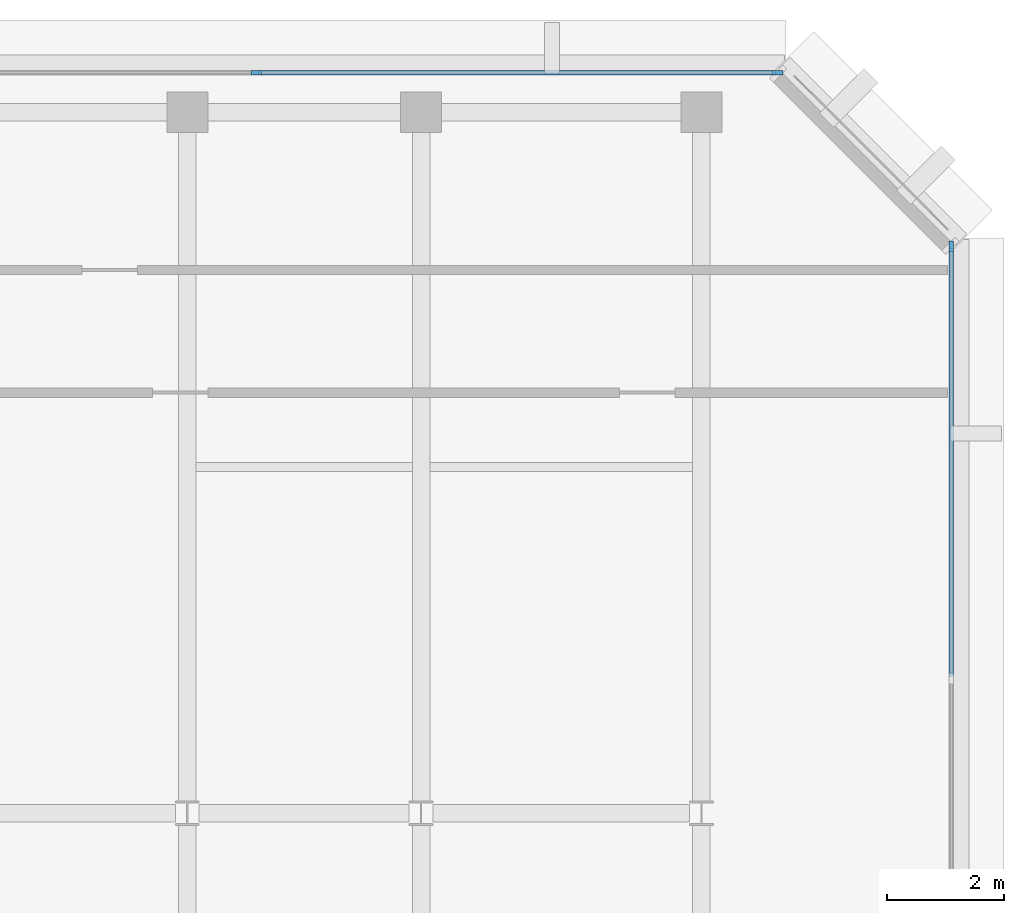
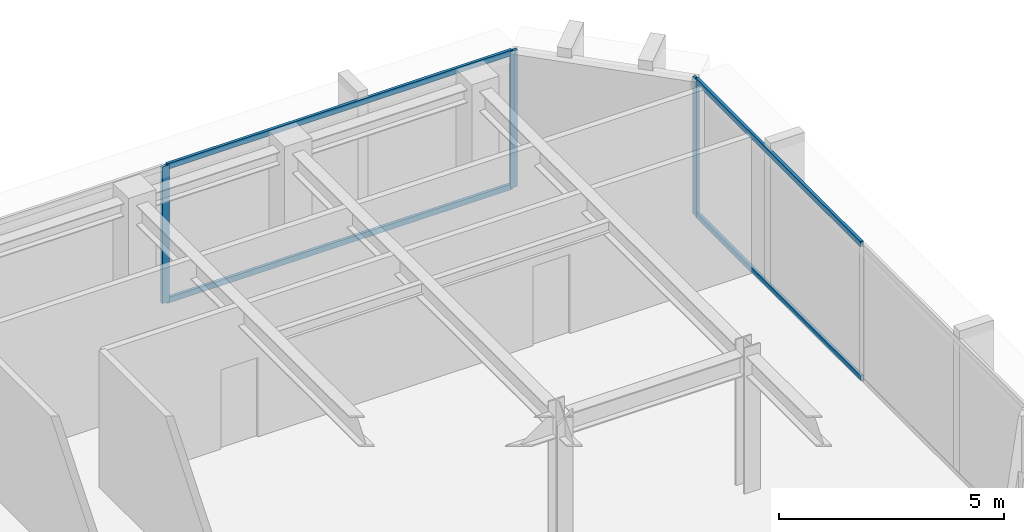
# One storey, part 5 of 11: 7 members, 2 elements without a shape of their own.
"""IFC4 building model written with IfcOpenShell, lengths in metres."""

from ifc_helpers import new_model, si_unit, direction, frame, origin, origin_2d, place, context, subcontext, project, spatial, rectangle, extrude, material, layer, layer_set, material_profile, profile_set, type_object, element, aggregate, save


model = new_model("IFC4")

# Units and contexts
model_context = context("Model", 3, precision=1e-05, world=origin(), true_north=direction((0.0, 1.0)))
body_context = subcontext(model_context, "Body", "Model", "MODEL_VIEW")
ifc_project = project(units=[si_unit("LENGTHUNIT", "METRE"), si_unit("AREAUNIT", "SQUARE_METRE"), si_unit("VOLUMEUNIT", "CUBIC_METRE"), si_unit("PLANEANGLEUNIT", "RADIAN"), si_unit("MASSUNIT", "GRAM", prefix="KILO")], contexts=[model_context])

# Site, building, storey
site_placement = place(None, origin())
site = spatial("IfcSite", under=ifc_project, at=site_placement, CompositionType="ELEMENT")
building_placement = place(site_placement, origin())
building = spatial("IfcBuilding", under=site, at=building_placement, Name="Kefirva Bronze Tower", CompositionType="ELEMENT")
storey_placement = place(building_placement, frame((0.0, 0.0, 343.530029296875)))
storey = spatial("IfcBuildingStorey", under=building, at=storey_placement, Name="L84", CompositionType="ELEMENT", Elevation=343.530029296875)

# Curtain wall, member
ifc_material = material(Name="Bronze anodised aluminium", Category="aluminium")
ifc_layer = layer(ifc_material, 0.179931640625, Name="Bronze anodised aluminium")
ifc_layer_set = layer_set([ifc_layer], Name="Bronze anodised aluminium")
curtain_wall_type = type_object("IfcCurtainWallType", Name="Unitised Bronze Ribbon Curtain Wall Zone 4", PredefinedType="USERDEFINED", material=ifc_layer_set)
curtain_wall_1_placement = place(storey_placement, origin())
curtain_wall_1 = element("IfcCurtainWall", 1, at=curtain_wall_1_placement, inside=storey, type_object=curtain_wall_type, Name="L84 Curtain Wall 3", ObjectType="UNITISED CURTAIN WALL", PredefinedType="USERDEFINED")
ifc_material_profile_1 = material_profile(ifc_material, rectangle(XDim=0.074951171875, YDim=0.179931640625, at=origin_2d()), Name="ALU 75x180")
ifc_profile_set_1 = profile_set([ifc_material_profile_1], Name="Bronze anodised aluminium")
member_type_1 = type_object("IfcMemberType", Name="Bronze Mullion 75x180", PredefinedType="MULLION", material=ifc_profile_set_1)
member_1_placement = place(storey_placement, frame((44.280029296875, 42.907470703125, 0.0), z_axis=(0.0, 0.0, 1.0), x_axis=(-1.0, 0.0, 0.0)))
member_1 = element("IfcMember", 2, at=member_1_placement, type_object=member_type_1, Name="CW-04 mullion 3", PredefinedType="MULLION", context=body_context, shape_type="SweptSolid", body=[
    extrude(rectangle(XDim=0.074951171875, YDim=0.179931640625, at=origin_2d()), origin(), (0.0, 0.0, 1.0), 3.7099609375),
])

# Curtain wall, members
curtain_wall_2_placement = place(storey_placement, origin())
curtain_wall_2 = element("IfcCurtainWall", 3, at=curtain_wall_2_placement, inside=storey, type_object=curtain_wall_type, Name="L84 Curtain Wall 4", ObjectType="UNITISED CURTAIN WALL", PredefinedType="USERDEFINED")
member_2_placement = place(storey_placement, frame((41.3076171875, 45.8798828125, 0.0), z_axis=(0.0, 0.0, 1.0), x_axis=(0.0, -1.0, 0.0)))
member_2 = element("IfcMember", 4, at=member_2_placement, type_object=member_type_1, Name="CW-04 mullion 1", PredefinedType="MULLION", context=body_context, shape_type="SweptSolid", body=[
    extrude(rectangle(XDim=0.074951171875, YDim=0.179931640625, at=origin_2d()), origin(), (0.0, 0.0, 1.0), 3.7099609375),
])
member_3_placement = place(storey_placement, frame((32.375, 45.8798828125, 0.0), z_axis=(0.0, 0.0, 1.0), x_axis=(0.0, -1.0, 0.0)))
member_3 = element("IfcMember", 5, at=member_3_placement, type_object=member_type_1, Name="CW-04 mullion 2", PredefinedType="MULLION", context=body_context, shape_type="SweptSolid", body=[
    extrude(rectangle(XDim=0.074951171875, YDim=0.179931640625, at=origin_2d()), origin(), (0.0, 0.0, 1.0), 3.7099609375),
])

# Member
ifc_material_profile_2 = material_profile(ifc_material, rectangle(XDim=0.074951171875, YDim=0.14990234375, at=origin_2d()), Name="ALU 75x150")
ifc_profile_set_2 = profile_set([ifc_material_profile_2], Name="Bronze anodised aluminium")
member_type_2 = type_object("IfcMemberType", Name="Bronze Transom 75x150", PredefinedType="USERDEFINED", material=ifc_profile_set_2)
member_4_placement = place(storey_placement, frame((44.280029296875, 35.53759765625, 0.037353515625), z_axis=(0.0, 1.0, 0.0), x_axis=(-1.0, 0.0, 0.0)))
member_4 = element("IfcMember", 6, at=member_4_placement, type_object=member_type_2, Name="CW-04 transom 2.1", ObjectType="TRANSOM", PredefinedType="USERDEFINED", context=body_context, shape_type="SweptSolid", body=[
    extrude(rectangle(XDim=0.074951171875, YDim=0.14990234375, at=origin_2d()), origin(), (0.0, 0.0, 1.0), 7.33251953125),
])

member_5_placement = place(storey_placement, frame((44.280029296875, 35.53759765625, 3.67236328125), z_axis=(0.0, 1.0, 0.0), x_axis=(-1.0, 0.0, 0.0)))
member_5 = element("IfcMember", 7, at=member_5_placement, type_object=member_type_2, Name="CW-04 transom 2.2", ObjectType="TRANSOM", PredefinedType="USERDEFINED", context=body_context, shape_type="SweptSolid", body=[
    extrude(rectangle(XDim=0.074951171875, YDim=0.14990234375, at=origin_2d()), origin(), (0.0, 0.0, 1.0), 7.33251953125),
])

aggregate(curtain_wall_1, [member_1, member_4, member_5])

member_6_placement = place(storey_placement, frame((41.27001953125, 45.8798828125, 0.037353515625), z_axis=(-1.0, 0.0, 0.0), x_axis=(0.0, -1.0, 0.0)))
member_6 = element("IfcMember", 8, at=member_6_placement, type_object=member_type_2, Name="CW-04 transom 1.1", ObjectType="TRANSOM", PredefinedType="USERDEFINED", context=body_context, shape_type="SweptSolid", body=[
    extrude(rectangle(XDim=0.074951171875, YDim=0.14990234375, at=origin_2d()), origin(), (0.0, 0.0, 1.0), 8.857421875),
])

member_7_placement = place(storey_placement, frame((41.27001953125, 45.8798828125, 3.67236328125), z_axis=(-1.0, 0.0, 0.0), x_axis=(0.0, -1.0, 0.0)))
member_7 = element("IfcMember", 9, at=member_7_placement, type_object=member_type_2, Name="CW-04 transom 1.2", ObjectType="TRANSOM", PredefinedType="USERDEFINED", context=body_context, shape_type="SweptSolid", body=[
    extrude(rectangle(XDim=0.074951171875, YDim=0.14990234375, at=origin_2d()), origin(), (0.0, 0.0, 1.0), 8.857421875),
])

aggregate(curtain_wall_2, [member_2, member_3, member_6, member_7])

save(model, "model.ifc")
